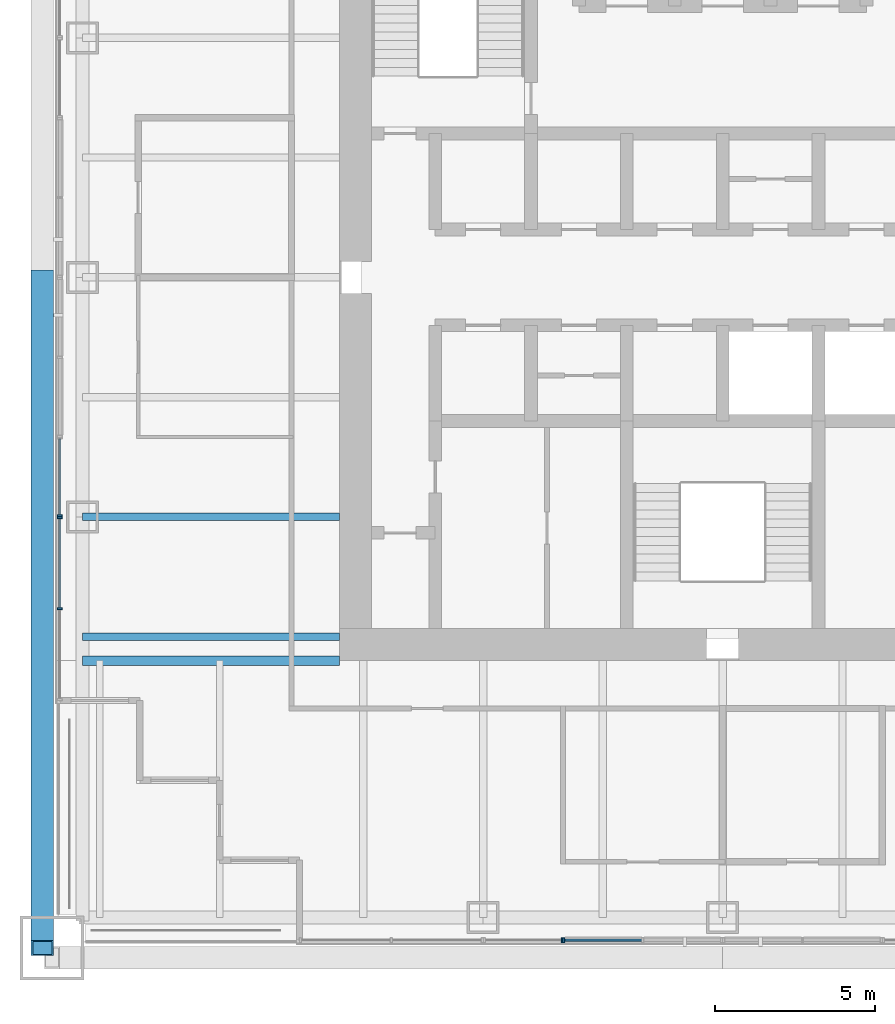
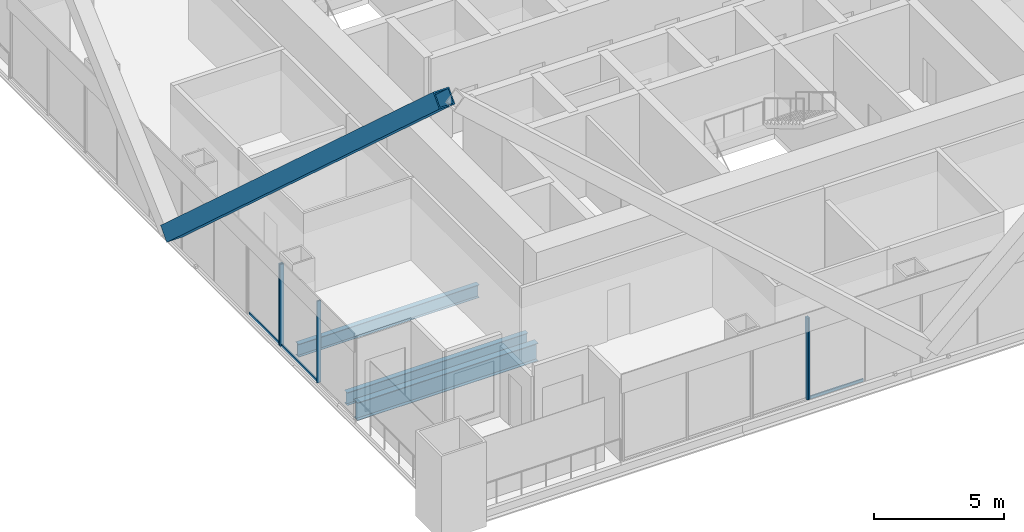
# One storey, part 3 of 17: 9 members, 3 beams, 4 elements without a shape of their own.
"""IFC4 building model written with IfcOpenShell, lengths in metres."""

from ifc_helpers import new_model, si_unit, direction, frame, origin, origin_2d, place, context, subcontext, project, spatial, rectangle, hollow_rectangle, i_section, extrude, material, material_profile, profile_set, type_object, element, aggregate, save


model = new_model("IFC4")

# Units and contexts
model_context = context("Model", 3, precision=1e-05, world=origin(), true_north=direction((0.0, 1.0)))
body_context = subcontext(model_context, "Body", "Model", "MODEL_VIEW")
ifc_project = project(units=[si_unit("LENGTHUNIT", "METRE"), si_unit("AREAUNIT", "SQUARE_METRE"), si_unit("VOLUMEUNIT", "CUBIC_METRE"), si_unit("PLANEANGLEUNIT", "RADIAN"), si_unit("MASSUNIT", "GRAM", prefix="KILO")], contexts=[model_context])

# Site, building, storey
site_placement = place(None, origin())
site = spatial("IfcSite", under=ifc_project, at=site_placement, CompositionType="ELEMENT")
building_placement = place(site_placement, origin())
building = spatial("IfcBuilding", under=site, at=building_placement, Name="Tarangal Relay Tower", CompositionType="ELEMENT")
storey_placement = place(building_placement, frame((0.0, 0.0, 315.89990234375)))
storey = spatial("IfcBuildingStorey", under=building, at=storey_placement, Name="L70", CompositionType="ELEMENT", Elevation=315.89990234375)

# Beams
ifc_material_1 = material(Name="Steel ASTM A992", Category="steel")
ifc_material_profile_1 = material_profile(ifc_material_1, i_section(OverallWidth=0.2919921875, OverallDepth=0.8408203125, WebThickness=0.0146484375, FlangeThickness=0.021728515625, at=origin_2d()), Name="W33X130")
ifc_profile_set_1 = profile_set([ifc_material_profile_1], Name="Steel ASTM A992")
beam_type_1 = type_object("IfcBeamType", Name="Corner girder W33X130", PredefinedType="BEAM", material=ifc_profile_set_1)
beam_placement = place(storey_placement, frame((-12.0, -12.0, -0.5703125), z_axis=(-1.0, 0.0, 0.0), x_axis=(0.0, -1.0, 0.0)))
element("IfcBeam", 1, at=beam_placement, inside=storey, type_object=beam_type_1, Name="Corner girder CG5 S L70", PredefinedType="BEAM", context=body_context, shape_type="SweptSolid", body=[
    extrude(i_section(OverallWidth=0.2919921875, OverallDepth=0.8408203125, WebThickness=0.0146484375, FlangeThickness=0.021728515625, at=origin_2d()), origin(), (0.0, 0.0, 1.0), 8.0400390625),
])
ifc_material_profile_2 = material_profile(ifc_material_1, i_section(OverallWidth=0.228271484375, OverallDepth=0.607177734375, WebThickness=0.01123046875, FlangeThickness=0.017333984375, at=origin_2d()), Name="W24X76")
ifc_profile_set_2 = profile_set([ifc_material_profile_2], Name="Steel ASTM A992")
beam_type_2 = type_object("IfcBeamType", Name="Floor beam W24X76", PredefinedType="BEAM", material=ifc_profile_set_2)
for number, where, z_axis, x_axis, name in (
    (2, (-12.0, -11.25, -0.453369140625), (-1.0, 0.0, 0.0), (0.0, -1.0, 0.0), "Floor beam RB5 W L70"),
    (3, (-12.0, -7.5, -0.453369140625), (-1.0, 0.0, 0.0), (0.0, -1.0, 0.0), "Floor beam RB5 W L70"),
):
    element("IfcBeam", number, at=place(storey_placement, frame(where, z_axis=z_axis, x_axis=x_axis)), inside=storey, type_object=beam_type_2, Name=name, PredefinedType="BEAM", context=body_context, shape_type="SweptSolid", body=[
        extrude(i_section(OverallWidth=0.228271484375, OverallDepth=0.607177734375, WebThickness=0.01123046875, FlangeThickness=0.017333984375, at=origin_2d()), origin(), (0.0, 0.0, 1.0), 8.0400390625),
    ])

# Member
ifc_material_2 = material(Name="Steel ASTM A572 Grade 50", Category="steel")
ifc_material_profile_3 = material_profile(ifc_material_2, hollow_rectangle(XDim=0.699951171875, YDim=0.699951171875, WallThickness=0.052001953125, at=origin_2d()), Name="BOX700X700X52")
ifc_profile_set_3 = profile_set([ifc_material_profile_3], Name="Steel ASTM A572 Grade 50")
member_type_1 = type_object("IfcMemberType", Name="Mega brace BOX700X700X52", PredefinedType="BRACE", material=ifc_profile_set_3)
member_1_placement = place(storey_placement, frame((-21.300048828125, 0.0, 1.0), z_axis=(0.0, -0.741535779124, 0.670913323969), x_axis=(1.0, 0.0, 0.0)))
element("IfcMember", 4, at=member_1_placement, inside=storey, type_object=member_type_1, Name="Mega brace MB4 W face module 2", PredefinedType="BRACE", context=body_context, shape_type="SweptSolid", body=[
    extrude(hollow_rectangle(XDim=0.699951171875, YDim=0.699951171875, WallThickness=0.052001953125, at=origin_2d()), origin(), (0.0, 0.0, 1.0), 28.319580078125),
])

# Curtain wall, member
ifc_material_3 = material(Name="Unitised curtain wall, dark glass and black aluminium", Category="aluminium")
curtain_wall_type_1 = type_object("IfcCurtainWallType", Name="Curtain wall CW-B", PredefinedType="USERDEFINED", material=ifc_material_3)
curtain_wall_1_placement = place(storey_placement, origin())
curtain_wall_1 = element("IfcCurtainWall", 5, at=curtain_wall_1_placement, inside=storey, type_object=curtain_wall_type_1, Name="Curtain wall CW-B S facade L70", ObjectType="UNITISED CURTAIN WALL", PredefinedType="USERDEFINED")
ifc_material_4 = material(Name="Black anodised aluminium mullion", Category="aluminium")
ifc_material_profile_4 = material_profile(ifc_material_4, rectangle(XDim=0.159912109375, YDim=0.06005859375, at=origin_2d()), Name="CW-BM 60X160")
ifc_profile_set_4 = profile_set([ifc_material_profile_4], Name="Black anodised aluminium mullion")
member_type_2 = type_object("IfcMemberType", Name="Mullion CW-B 60 x 160", PredefinedType="MULLION", material=ifc_profile_set_4)
member_2_placement = place(storey_placement, frame((-5.030029296875, -20.75, 0.0), z_axis=(0.0, 0.0, 1.0), x_axis=(0.0, -1.0, 0.0)))
member_2 = element("IfcMember", 6, at=member_2_placement, type_object=member_type_2, Name="CW-B mullion 1", PredefinedType="MULLION", context=body_context, shape_type="SweptSolid", body=[
    extrude(rectangle(XDim=0.159912109375, YDim=0.06005859375, at=origin_2d()), origin(), (0.0, 0.0, 1.0), 3.85009765625),
])
aggregate(curtain_wall_1, [member_2])

# Curtain wall, members
curtain_wall_2_placement = place(storey_placement, origin())
curtain_wall_2 = element("IfcCurtainWall", 7, at=curtain_wall_2_placement, inside=storey, type_object=curtain_wall_type_1, Name="Curtain wall CW-B W facade L70", ObjectType="UNITISED CURTAIN WALL", PredefinedType="USERDEFINED")
member_3_placement = place(storey_placement, frame((-20.75, -10.375, 0.0), z_axis=(0.0, 0.0, 1.0), x_axis=(-1.0, 0.0, 0.0)))
member_3 = element("IfcMember", 8, at=member_3_placement, type_object=member_type_2, Name="CW-B mullion 2", PredefinedType="MULLION", context=body_context, shape_type="SweptSolid", body=[
    extrude(rectangle(XDim=0.159912109375, YDim=0.06005859375, at=origin_2d()), origin(), (0.0, 0.0, 1.0), 3.85009765625),
])
member_4_placement = place(storey_placement, frame((-20.75, -7.530029296875, 0.0), z_axis=(0.0, 0.0, 1.0), x_axis=(-1.0, 0.0, 0.0)))
member_4 = element("IfcMember", 9, at=member_4_placement, type_object=member_type_2, Name="CW-B mullion 3", PredefinedType="MULLION", context=body_context, shape_type="SweptSolid", body=[
    extrude(rectangle(XDim=0.159912109375, YDim=0.06005859375, at=origin_2d()), origin(), (0.0, 0.0, 1.0), 3.85009765625),
])

# Curtain wall, member
curtain_wall_3_placement = place(storey_placement, origin())
curtain_wall_3 = element("IfcCurtainWall", 10, at=curtain_wall_3_placement, inside=storey, type_object=curtain_wall_type_1, Name="Curtain wall CW-B W facade L70", ObjectType="UNITISED CURTAIN WALL", PredefinedType="USERDEFINED")
member_5_placement = place(storey_placement, frame((-20.75, -7.469970703125, 0.0), z_axis=(0.0, 0.0, 1.0), x_axis=(-1.0, 0.0, 0.0)))
member_5 = element("IfcMember", 11, at=member_5_placement, type_object=member_type_2, Name="CW-B mullion 1", PredefinedType="MULLION", context=body_context, shape_type="SweptSolid", body=[
    extrude(rectangle(XDim=0.159912109375, YDim=0.06005859375, at=origin_2d()), origin(), (0.0, 0.0, 1.0), 3.85009765625),
])

ifc_material_5 = material(Name="Unitised curtain wall frame, black aluminium, with metal clad infill walls", Category="aluminium")
curtain_wall_type_2 = type_object("IfcCurtainWallType", Name="Curtain wall CW-BO", PredefinedType="USERDEFINED", material=ifc_material_5)
curtain_wall_4_placement = place(storey_placement, origin())
curtain_wall_4 = element("IfcCurtainWall", 12, at=curtain_wall_4_placement, inside=storey, type_object=curtain_wall_type_2, Name="Curtain wall CW-BO S facade L70", ObjectType="UNITISED CURTAIN WALL", PredefinedType="USERDEFINED")
ifc_material_profile_5 = material_profile(ifc_material_4, rectangle(XDim=0.159912109375, YDim=0.06005859375, at=origin_2d()), Name="CW-BOM 60X160")
ifc_profile_set_5 = profile_set([ifc_material_profile_5], Name="Black anodised aluminium mullion")
member_type_3 = type_object("IfcMemberType", Name="Mullion CW-BO 60 x 160", PredefinedType="MULLION", material=ifc_profile_set_5)
member_6_placement = place(storey_placement, frame((-4.969970703125, -20.75, 0.0), z_axis=(0.0, 0.0, 1.0), x_axis=(0.0, -1.0, 0.0)))
member_6 = element("IfcMember", 13, at=member_6_placement, type_object=member_type_3, Name="CW-BO mullion 3", PredefinedType="MULLION", context=body_context, shape_type="SweptSolid", body=[
    extrude(rectangle(XDim=0.159912109375, YDim=0.06005859375, at=origin_2d()), origin(), (0.0, 0.0, 1.0), 3.85009765625),
])

# Member
ifc_material_6 = material(Name="Black anodised aluminium transom", Category="aluminium")
ifc_material_profile_6 = material_profile(ifc_material_6, rectangle(XDim=0.06005859375, YDim=0.1298828125, at=origin_2d()), Name="CW-BT 60X130")
ifc_profile_set_6 = profile_set([ifc_material_profile_6], Name="Black anodised aluminium transom")
member_type_4 = type_object("IfcMemberType", Name="Transom CW-B 60 x 130", PredefinedType="USERDEFINED", material=ifc_profile_set_6)
member_7_placement = place(storey_placement, frame((-20.75, -10.344970703125, 0.030029296875), z_axis=(0.0, 1.0, 0.0), x_axis=(-1.0, 0.0, 0.0)))
member_7 = element("IfcMember", 14, at=member_7_placement, type_object=member_type_4, Name="CW-B transom 2.1", ObjectType="TRANSOM", PredefinedType="USERDEFINED", context=body_context, shape_type="SweptSolid", body=[
    extrude(rectangle(XDim=0.06005859375, YDim=0.1298828125, at=origin_2d()), origin(), (0.0, 0.0, 1.0), 2.784912109375),
])

aggregate(curtain_wall_2, [member_3, member_4, member_7])

member_8_placement = place(storey_placement, frame((-20.75, -7.43994140625, 0.030029296875), z_axis=(0.0, 1.0, 0.0), x_axis=(-1.0, 0.0, 0.0)))
member_8 = element("IfcMember", 15, at=member_8_placement, type_object=member_type_4, Name="CW-B transom 1.1", ObjectType="TRANSOM", PredefinedType="USERDEFINED", context=body_context, shape_type="SweptSolid", body=[
    extrude(rectangle(XDim=0.06005859375, YDim=0.1298828125, at=origin_2d()), origin(), (0.0, 0.0, 1.0), 2.3798828125),
])

aggregate(curtain_wall_3, [member_5, member_8])

ifc_material_profile_7 = material_profile(ifc_material_6, rectangle(XDim=0.06005859375, YDim=0.1298828125, at=origin_2d()), Name="CW-BOT 60X130")
ifc_profile_set_7 = profile_set([ifc_material_profile_7], Name="Black anodised aluminium transom")
member_type_5 = type_object("IfcMemberType", Name="Transom CW-BO 60 x 130", PredefinedType="USERDEFINED", material=ifc_profile_set_7)
member_9_placement = place(storey_placement, frame((-2.530029296875, -20.75, 0.030029296875), z_axis=(-1.0, 0.0, 0.0), x_axis=(0.0, -1.0, 0.0)))
member_9 = element("IfcMember", 16, at=member_9_placement, type_object=member_type_5, Name="CW-BO transom 2.1", ObjectType="TRANSOM", PredefinedType="USERDEFINED", context=body_context, shape_type="SweptSolid", body=[
    extrude(rectangle(XDim=0.06005859375, YDim=0.1298828125, at=origin_2d()), origin(), (0.0, 0.0, 1.0), 2.409912109375),
])

aggregate(curtain_wall_4, [member_6, member_9])

save(model, "model.ifc")
